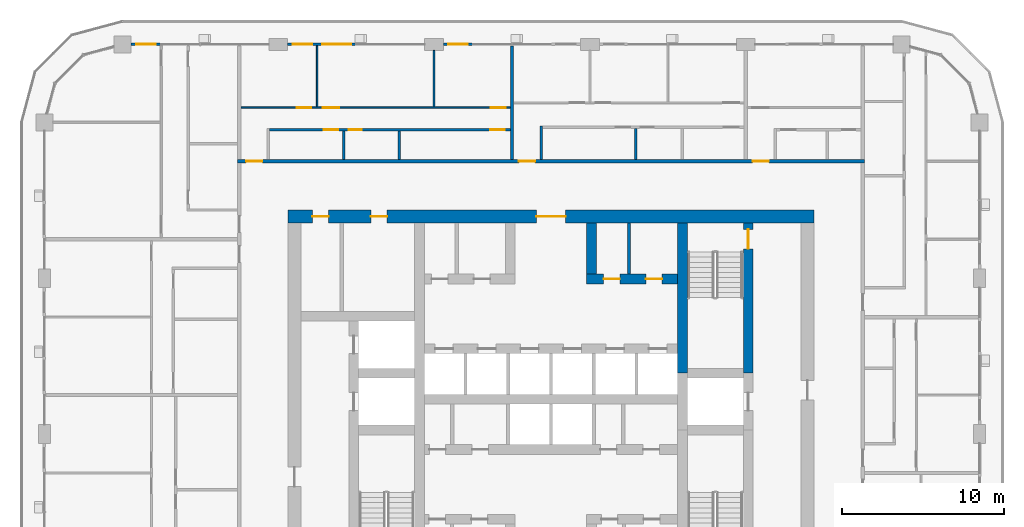
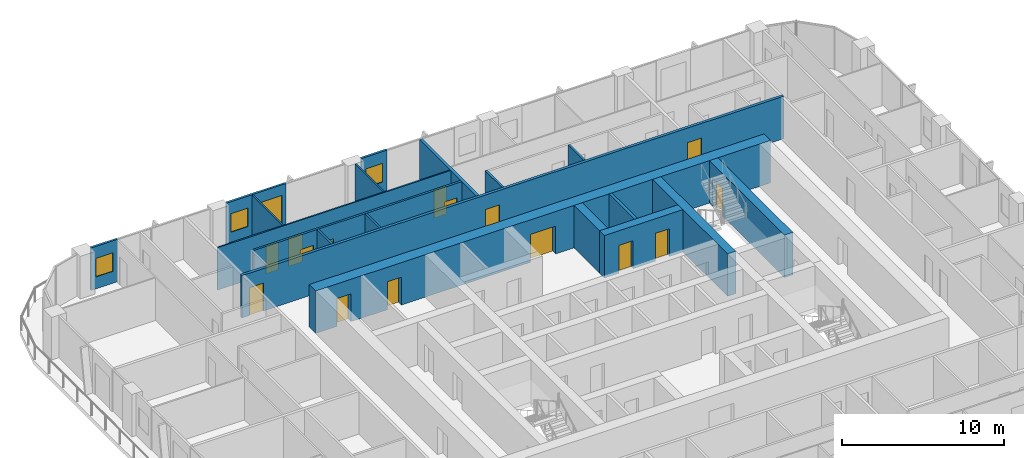
# One storey, part 14 of 22: 19 walls, 16 doors, 3 windows, 19 openings.
"""IFC4 building model written with IfcOpenShell, lengths in metres."""

from ifc_helpers import new_model, si_unit, direction, frame, frame_2d, origin, place, context, subcontext, project, spatial, rectangle, extrude, material, layer, layer_set, type_object, element, fill, save


model = new_model("IFC4")

# Units and contexts
model_context = context("Model", 3, precision=1e-05, world=origin(), true_north=direction((0.0, 1.0)))
body_context = subcontext(model_context, "Body", "Model", "MODEL_VIEW")
ifc_project = project(units=[si_unit("LENGTHUNIT", "METRE"), si_unit("AREAUNIT", "SQUARE_METRE"), si_unit("VOLUMEUNIT", "CUBIC_METRE"), si_unit("PLANEANGLEUNIT", "RADIAN"), si_unit("MASSUNIT", "GRAM", prefix="KILO")], contexts=[model_context])

# Site, building, storey
site_placement = place(None, origin())
site = spatial("IfcSite", under=ifc_project, at=site_placement, CompositionType="ELEMENT")
building_placement = place(site_placement, origin())
building = spatial("IfcBuilding", under=site, at=building_placement, Name="Madar Terraces", CompositionType="ELEMENT")
storey_placement = place(building_placement, frame((0.0, 0.0, 166.5)))
storey = spatial("IfcBuildingStorey", under=building, at=storey_placement, Name="L43", CompositionType="ELEMENT", Elevation=166.5)

# Wall
ifc_material_1 = material(Name="Concrete C70/85", Category="concrete")
ifc_layer_1 = layer(ifc_material_1, 0.60009765625)
ifc_layer_set_1 = layer_set([ifc_layer_1], Name="Concrete C70/85 (CIW3 RC wall 600)")
wall_type_1 = type_object("IfcWallType", Name="CIW3 RC wall 600", PredefinedType="SHEAR", material=ifc_layer_set_1)
wall_1_placement = place(storey_placement, frame((39.300048828125, 27.75, 0.0), z_axis=(0.0, 0.0, 1.0), x_axis=(0.0, 1.0, 0.0)))
element("IfcWall", 1, at=wall_1_placement, inside=storey, type_object=wall_type_1, Name="CORE SHAFT WALL", PredefinedType="SHEAR", context=body_context, shape_type="SweptSolid", body=[
    extrude(rectangle(XDim=9.25, YDim=0.60009765625, at=frame_2d((4.625, 0.0))), origin(), (0.0, 0.0, 1.0), 3.199951171875),
])

# Wall, opening, door
wall_2_placement = place(storey_placement, frame((43.35009765625, 27.75, 0.0), z_axis=(0.0, 0.0, 1.0), x_axis=(0.0, 1.0, 0.0)))
wall_2 = element("IfcWall", 2, at=wall_2_placement, inside=storey, type_object=wall_type_1, Name="CORE SHAFT WALL", PredefinedType="SHEAR", context=body_context, shape_type="SweptSolid", body=[
    extrude(rectangle(XDim=9.25, YDim=0.60009765625, at=frame_2d((4.625, 0.0))), origin(), (0.0, 0.0, 1.0), 3.199951171875),
])
opening_1_placement = place(wall_2_placement, frame((7.64990234375, 0.0, 0.0)))
opening_1 = element("IfcOpeningElement", 3, at=opening_1_placement, cuts=wall_2, Name="Opening SD1", PredefinedType="OPENING", context=body_context, shape_type="SweptSolid", body=[
    extrude(rectangle(XDim=1.199951171875, YDim=2.10009765625, at=frame_2d((0.60009765625, 1.050048828125))), frame((0.0, 0.31005859375, 0.0), z_axis=(0.0, -1.0, 0.0), x_axis=(1.0, 0.0, 0.0)), (0.0, 0.0, 1.0), 0.6201171875),
])
ifc_material_2 = material(Name="Steel door leaf", Category="steel")
door_type_1 = type_object("IfcDoorType", Name="Stair door 1200 x 2100", OperationType="NOTDEFINED", PredefinedType="DOOR", material=ifc_material_2)
door_1_placement = place(opening_1_placement, origin())
door_1 = element("IfcDoor", 4, at=door_1_placement, inside=storey, type_object=door_type_1, Name="STAIR DOOR", OperationType="SINGLE_SWING_LEFT", OverallHeight=2.10009765625, OverallWidth=1.199951171875, PredefinedType="DOOR", context=body_context, shape_type="SweptSolid", body=[
    extrude(rectangle(XDim=1.199951171875, YDim=2.10009765625, at=frame_2d((0.60009765625, 1.050048828125))), frame((0.0, 0.02490234375, 0.0), z_axis=(0.0, -1.0, 0.0), x_axis=(1.0, 0.0, 0.0)), (0.0, 0.0, 1.0), 0.050048828125),
])
fill(opening_1, door_1)

# Wall, openings, doors
wall_3_placement = place(storey_placement, frame((33.39990234375, 33.550048828125, 0.0), z_axis=(0.0, 0.0, 1.0), x_axis=(1.0, 0.0, 0.0)))
wall_3 = element("IfcWall", 5, at=wall_3_placement, inside=storey, type_object=wall_type_1, Name="CORE SHAFT WALL", PredefinedType="SHEAR", context=body_context, shape_type="SweptSolid", body=[
    extrude(rectangle(XDim=5.60009765625, YDim=0.60009765625, at=frame_2d((2.800048828125, 0.0))), origin(), (0.0, 0.0, 1.0), 3.199951171875),
])
opening_2_placement = place(wall_3_placement, frame((1.050048828125, 0.0, 0.0)))
opening_2 = element("IfcOpeningElement", 6, at=opening_2_placement, cuts=wall_3, Name="Opening KD2", PredefinedType="OPENING", context=body_context, shape_type="SweptSolid", body=[
    extrude(rectangle(XDim=1.0, YDim=2.10009765625, at=frame_2d((0.5, 1.050048828125))), frame((0.0, 0.31005859375, 0.0), z_axis=(0.0, -1.0, 0.0), x_axis=(1.0, 0.0, 0.0)), (0.0, 0.0, 1.0), 0.6201171875),
])
opening_3_placement = place(wall_3_placement, frame((3.64990234375, 0.0, 0.0)))
opening_3 = element("IfcOpeningElement", 7, at=opening_3_placement, cuts=wall_3, Name="Opening KD2", PredefinedType="OPENING", context=body_context, shape_type="SweptSolid", body=[
    extrude(rectangle(XDim=1.0, YDim=2.10009765625, at=frame_2d((0.5, 1.050048828125))), frame((0.0, 0.31005859375, 0.0), z_axis=(0.0, -1.0, 0.0), x_axis=(1.0, 0.0, 0.0)), (0.0, 0.0, 1.0), 0.6201171875),
])
ifc_material_3 = material(Name="Steel door leaf", Category="steel")
door_type_2 = type_object("IfcDoorType", Name="Service room door 1000 x 2100", OperationType="NOTDEFINED", PredefinedType="DOOR", material=ifc_material_3)
door_2_placement = place(opening_2_placement, frame((1.0, 0.0, 0.0), z_axis=(0.0, 0.0, 1.0), x_axis=(-1.0, 0.0, 0.0)))
door_2 = element("IfcDoor", 8, at=door_2_placement, inside=storey, type_object=door_type_2, Name="SERVICE ROOM DOOR", OperationType="SINGLE_SWING_RIGHT", OverallHeight=2.10009765625, OverallWidth=1.0, PredefinedType="DOOR", context=body_context, shape_type="SweptSolid", body=[
    extrude(rectangle(XDim=1.0, YDim=2.10009765625, at=frame_2d((0.5, 1.050048828125))), frame((0.0, 0.02490234375, 0.0), z_axis=(0.0, -1.0, 0.0), x_axis=(1.0, 0.0, 0.0)), (0.0, 0.0, 1.0), 0.050048828125),
])
fill(opening_2, door_2)
door_3_placement = place(opening_3_placement, frame((1.0, 0.0, 0.0), z_axis=(0.0, 0.0, 1.0), x_axis=(-1.0, 0.0, 0.0)))
door_3 = element("IfcDoor", 9, at=door_3_placement, inside=storey, type_object=door_type_2, Name="SERVICE ROOM DOOR", OperationType="SINGLE_SWING_LEFT", OverallHeight=2.10009765625, OverallWidth=1.0, PredefinedType="DOOR", context=body_context, shape_type="SweptSolid", body=[
    extrude(rectangle(XDim=1.0, YDim=2.10009765625, at=frame_2d((0.5, 1.050048828125))), frame((0.0, 0.02490234375, 0.0), z_axis=(0.0, -1.0, 0.0), x_axis=(1.0, 0.0, 0.0)), (0.0, 0.0, 1.0), 0.050048828125),
])
fill(opening_3, door_3)

# Wall
wall_4_placement = place(storey_placement, frame((33.699951171875, 33.85009765625, 0.0), z_axis=(0.0, 0.0, 1.0), x_axis=(0.0, 1.0, 0.0)))
element("IfcWall", 10, at=wall_4_placement, inside=storey, type_object=wall_type_1, Name="CORE SHAFT WALL", PredefinedType="SHEAR", context=body_context, shape_type="SweptSolid", body=[
    extrude(rectangle(XDim=3.14990234375, YDim=0.60009765625, at=frame_2d((1.574951171875, 0.0))), origin(), (0.0, 0.0, 1.0), 3.199951171875),
])

# Wall, openings, doors
ifc_material_4 = material(Name="Concrete C70/85", Category="concrete")
ifc_layer_2 = layer(ifc_material_4, 0.800048828125)
ifc_layer_set_2 = layer_set([ifc_layer_2], Name="Concrete C70/85 (CRW3 RC wall 800)")
wall_type_2 = type_object("IfcWallType", Name="CRW3 RC wall 800", PredefinedType="SHEAR", material=ifc_layer_set_2)
wall_5_placement = place(storey_placement, frame((15.0, 37.39990234375, 0.0), z_axis=(0.0, 0.0, 1.0), x_axis=(1.0, 0.0, 0.0)))
wall_5 = element("IfcWall", 11, at=wall_5_placement, inside=storey, type_object=wall_type_2, Name="CORE OUTER WALL", PredefinedType="SHEAR", context=body_context, shape_type="SweptSolid", body=[
    extrude(rectangle(XDim=32.39990234375, YDim=0.800048828125, at=frame_2d((16.199951171875, 0.0))), origin(), (0.0, 0.0, 1.0), 3.199951171875),
])
opening_4_placement = place(wall_5_placement, frame((15.300048828125, 0.0, 0.0)))
opening_4 = element("IfcOpeningElement", 12, at=opening_4_placement, cuts=wall_5, Name="Opening KD1", PredefinedType="OPENING", context=body_context, shape_type="SweptSolid", body=[
    extrude(rectangle(XDim=1.800048828125, YDim=2.10009765625, at=frame_2d((0.89990234375, 1.050048828125))), frame((0.0, 0.409912109375, 0.0), z_axis=(0.0, -1.0, 0.0), x_axis=(1.0, 0.0, 0.0)), (0.0, 0.0, 1.0), 0.820068359375),
])
opening_5_placement = place(wall_5_placement, frame((1.510009765625, 0.0, 0.0)))
opening_5 = element("IfcOpeningElement", 13, at=opening_5_placement, cuts=wall_5, Name="Opening KD2", PredefinedType="OPENING", context=body_context, shape_type="SweptSolid", body=[
    extrude(rectangle(XDim=1.0, YDim=2.10009765625, at=frame_2d((0.5, 1.050048828125))), frame((0.0, 0.409912109375, 0.0), z_axis=(0.0, -1.0, 0.0), x_axis=(1.0, 0.0, 0.0)), (0.0, 0.0, 1.0), 0.820068359375),
])
opening_6_placement = place(wall_5_placement, frame((5.110107421875, 0.0, 0.0)))
opening_6 = element("IfcOpeningElement", 14, at=opening_6_placement, cuts=wall_5, Name="Opening KD2", PredefinedType="OPENING", context=body_context, shape_type="SweptSolid", body=[
    extrude(rectangle(XDim=1.0, YDim=2.10009765625, at=frame_2d((0.5, 1.050048828125))), frame((0.0, 0.409912109375, 0.0), z_axis=(0.0, -1.0, 0.0), x_axis=(1.0, 0.0, 0.0)), (0.0, 0.0, 1.0), 0.820068359375),
])
ifc_material_5 = material(Name="Steel door leaf", Category="steel")
door_type_3 = type_object("IfcDoorType", Name="Lobby door pair 1800 x 2100", OperationType="DOUBLE_DOOR_SINGLE_SWING", PredefinedType="DOOR", material=ifc_material_5)
door_4_placement = place(opening_4_placement, origin())
door_4 = element("IfcDoor", 15, at=door_4_placement, inside=storey, type_object=door_type_3, Name="LIFT LOBBY DOOR", OperationType="DOUBLE_DOOR_SINGLE_SWING", OverallHeight=2.10009765625, OverallWidth=1.800048828125, PredefinedType="DOOR", context=body_context, shape_type="SweptSolid", body=[
    extrude(rectangle(XDim=1.800048828125, YDim=2.10009765625, at=frame_2d((0.89990234375, 1.050048828125))), frame((0.0, 0.02490234375, 0.0), z_axis=(0.0, -1.0, 0.0), x_axis=(1.0, 0.0, 0.0)), (0.0, 0.0, 1.0), 0.050048828125),
])
fill(opening_4, door_4)
door_5_placement = place(opening_5_placement, origin())
door_5 = element("IfcDoor", 16, at=door_5_placement, inside=storey, type_object=door_type_2, Name="SERVICE ROOM DOOR", OperationType="SINGLE_SWING_RIGHT", OverallHeight=2.10009765625, OverallWidth=1.0, PredefinedType="DOOR", context=body_context, shape_type="SweptSolid", body=[
    extrude(rectangle(XDim=1.0, YDim=2.10009765625, at=frame_2d((0.5, 1.050048828125))), frame((0.0, 0.02490234375, 0.0), z_axis=(0.0, -1.0, 0.0), x_axis=(1.0, 0.0, 0.0)), (0.0, 0.0, 1.0), 0.050048828125),
])
fill(opening_5, door_5)
door_6_placement = place(opening_6_placement, origin())
door_6 = element("IfcDoor", 17, at=door_6_placement, inside=storey, type_object=door_type_2, Name="SERVICE ROOM DOOR", OperationType="SINGLE_SWING_LEFT", OverallHeight=2.10009765625, OverallWidth=1.0, PredefinedType="DOOR", context=body_context, shape_type="SweptSolid", body=[
    extrude(rectangle(XDim=1.0, YDim=2.10009765625, at=frame_2d((0.5, 1.050048828125))), frame((0.0, 0.02490234375, 0.0), z_axis=(0.0, -1.0, 0.0), x_axis=(1.0, 0.0, 0.0)), (0.0, 0.0, 1.0), 0.050048828125),
])
fill(opening_6, door_6)

# Wall
ifc_material_6 = material(Name="Masonry blockwork", Category="masonry")
ifc_layer_3 = layer(ifc_material_6, 0.199951171875)
ifc_layer_set_3 = layer_set([ifc_layer_3], Name="Core partition 200 blockwork")
wall_type_3 = type_object("IfcWallType", Name="Core partition 200 blockwork", PredefinedType="PARTITIONING", material=ifc_layer_set_3)
wall_6_placement = place(storey_placement, frame((36.0, 33.85009765625, 0.0), z_axis=(0.0, 0.0, 1.0), x_axis=(0.0, 1.0, 0.0)))
element("IfcWall", 18, at=wall_6_placement, inside=storey, type_object=wall_type_3, Name="SERVICE ROOM PARTITION", PredefinedType="PARTITIONING", context=body_context, shape_type="SweptSolid", body=[
    extrude(rectangle(XDim=3.14990234375, YDim=0.199951171875, at=frame_2d((1.574951171875, 0.0))), origin(), (0.0, 0.0, 1.0), 3.199951171875),
])

# Wall, opening, window
ifc_material_7 = material(Name="Aluminium composite panel, black, over insulated backing", Category="aluminium")
ifc_layer_4 = layer(ifc_material_7, 0.14990234375)
ifc_layer_set_4 = layer_set([ifc_layer_4], Name="Facade bay panel 150")
wall_type_4 = type_object("IfcWallType", Name="Facade bay panel 150", PredefinedType="SOLIDWALL", material=ifc_layer_set_4)
wall_7_placement = place(storey_placement, frame((26.39990234375, 48.0, 0.0), z_axis=(0.0, 0.0, 1.0), x_axis=(-1.0, 0.0, 0.0)))
wall_7 = element("IfcWall", 19, at=wall_7_placement, inside=storey, type_object=wall_type_4, Name="Facade bay panel", PredefinedType="SOLIDWALL", context=body_context, shape_type="SweptSolid", body=[
    extrude(rectangle(XDim=1.824951171875, YDim=0.14990234375, at=frame_2d((0.91259765625, 0.0))), origin(), (0.0, 0.0, 1.0), 3.199951171875),
])
opening_7_placement = place(wall_7_placement, frame((0.3125, 0.0, 0.89990234375)))
opening_7 = element("IfcOpeningElement", 20, at=opening_7_placement, cuts=wall_7, Name="Opening W1", PredefinedType="OPENING", context=body_context, shape_type="SweptSolid", body=[
    extrude(rectangle(XDim=1.199951171875, YDim=1.39990234375, at=frame_2d((0.60009765625, 0.699951171875))), frame((0.0, 0.0849609375, 0.0), z_axis=(0.0, -1.0, 0.0), x_axis=(1.0, 0.0, 0.0)), (0.0, 0.0, 1.0), 0.169921875),
])
ifc_material_8 = material(Name="Glass, clear, with black aluminium frame", Category="aluminium")
window_type = type_object("IfcWindowType", Name="Vent window 1200 x 1400", PartitioningType="SINGLE_PANEL", PredefinedType="WINDOW", material=ifc_material_8)
window_1_placement = place(opening_7_placement, origin())
window_1 = element("IfcWindow", 21, at=window_1_placement, inside=storey, type_object=window_type, Name="Operable vent window", OverallHeight=1.39990234375, OverallWidth=1.199951171875, PartitioningType="SINGLE_PANEL", PredefinedType="WINDOW", context=body_context, shape_type="SweptSolid", body=[
    extrude(rectangle(XDim=1.199951171875, YDim=1.39990234375, at=frame_2d((0.60009765625, 0.699951171875))), frame((0.0, 0.030029296875, 0.0), z_axis=(0.0, -1.0, 0.0), x_axis=(1.0, 0.0, 0.0)), (0.0, 0.0, 1.0), 0.06005859375),
])
fill(opening_7, window_1)

# Wall, openings, door, window
wall_8_placement = place(storey_placement, frame((19.199951171875, 48.0, 0.0), z_axis=(0.0, 0.0, 1.0), x_axis=(-1.0, 0.0, 0.0)))
wall_8 = element("IfcWall", 22, at=wall_8_placement, inside=storey, type_object=wall_type_4, Name="Facade bay panel", PredefinedType="SOLIDWALL", context=body_context, shape_type="SweptSolid", body=[
    extrude(rectangle(XDim=4.224853515625, YDim=0.14990234375, at=frame_2d((2.1123046875, 0.0))), origin(), (0.0, 0.0, 1.0), 3.199951171875),
])
opening_8_placement = place(wall_8_placement, frame((0.300048828125, 0.0, 0.0)))
opening_8 = element("IfcOpeningElement", 23, at=opening_8_placement, cuts=wall_8, Name="Opening ED1", PredefinedType="OPENING", context=body_context, shape_type="SweptSolid", body=[
    extrude(rectangle(XDim=1.800048828125, YDim=2.39990234375, at=frame_2d((0.89990234375, 1.199951171875))), frame((0.0, 0.0849609375, 0.0), z_axis=(0.0, -1.0, 0.0), x_axis=(1.0, 0.0, 0.0)), (0.0, 0.0, 1.0), 0.169921875),
])
opening_9_placement = place(wall_8_placement, frame((2.71240234375, 0.0, 0.89990234375)))
opening_9 = element("IfcOpeningElement", 24, at=opening_9_placement, cuts=wall_8, Name="Opening W1", PredefinedType="OPENING", context=body_context, shape_type="SweptSolid", body=[
    extrude(rectangle(XDim=1.199951171875, YDim=1.39990234375, at=frame_2d((0.60009765625, 0.699951171875))), frame((0.0, 0.0849609375, 0.0), z_axis=(0.0, -1.0, 0.0), x_axis=(1.0, 0.0, 0.0)), (0.0, 0.0, 1.0), 0.169921875),
])
ifc_material_9 = material(Name="Glass, clear, with black aluminium frame", Category="aluminium")
door_type_4 = type_object("IfcDoorType", Name="Balcony and terrace sliding door 1800 x 2400", OperationType="SLIDING_TO_LEFT", PredefinedType="DOOR", material=ifc_material_9)
door_7_placement = place(opening_8_placement, origin())
door_7 = element("IfcDoor", 25, at=door_7_placement, inside=storey, type_object=door_type_4, Name="Balcony door", OperationType="SLIDING_TO_RIGHT", OverallHeight=2.39990234375, OverallWidth=1.800048828125, PredefinedType="DOOR", context=body_context, shape_type="SweptSolid", body=[
    extrude(rectangle(XDim=1.800048828125, YDim=2.39990234375, at=frame_2d((0.89990234375, 1.199951171875))), frame((0.0, 0.02490234375, 0.0), z_axis=(0.0, -1.0, 0.0), x_axis=(1.0, 0.0, 0.0)), (0.0, 0.0, 1.0), 0.050048828125),
])
fill(opening_8, door_7)
window_2_placement = place(opening_9_placement, origin())
window_2 = element("IfcWindow", 26, at=window_2_placement, inside=storey, type_object=window_type, Name="Operable vent window", OverallHeight=1.39990234375, OverallWidth=1.199951171875, PartitioningType="SINGLE_PANEL", PredefinedType="WINDOW", context=body_context, shape_type="SweptSolid", body=[
    extrude(rectangle(XDim=1.199951171875, YDim=1.39990234375, at=frame_2d((0.60009765625, 0.699951171875))), frame((0.0, 0.030029296875, 0.0), z_axis=(0.0, -1.0, 0.0), x_axis=(1.0, 0.0, 0.0)), (0.0, 0.0, 1.0), 0.06005859375),
])
fill(opening_9, window_2)

# Wall, opening, window
wall_9_placement = place(storey_placement, frame((7.199951171875, 48.0, 0.0), z_axis=(0.0, 0.0, 1.0), x_axis=(-1.0, 0.0, 0.0)))
wall_9 = element("IfcWall", 27, at=wall_9_placement, inside=storey, type_object=wall_type_4, Name="Facade bay panel", PredefinedType="SOLIDWALL", context=body_context, shape_type="SweptSolid", body=[
    extrude(rectangle(XDim=1.875, YDim=0.14990234375, at=frame_2d((0.9375, 0.0))), origin(), (0.0, 0.0, 1.0), 3.199951171875),
])
opening_10_placement = place(wall_9_placement, frame((0.33740234375, 0.0, 0.89990234375)))
opening_10 = element("IfcOpeningElement", 28, at=opening_10_placement, cuts=wall_9, Name="Opening W1", PredefinedType="OPENING", context=body_context, shape_type="SweptSolid", body=[
    extrude(rectangle(XDim=1.199951171875, YDim=1.39990234375, at=frame_2d((0.60009765625, 0.699951171875))), frame((0.0, 0.0849609375, 0.0), z_axis=(0.0, -1.0, 0.0), x_axis=(1.0, 0.0, 0.0)), (0.0, 0.0, 1.0), 0.169921875),
])
window_3_placement = place(opening_10_placement, origin())
window_3 = element("IfcWindow", 29, at=window_3_placement, inside=storey, type_object=window_type, Name="Operable vent window", OverallHeight=1.39990234375, OverallWidth=1.199951171875, PartitioningType="SINGLE_PANEL", PredefinedType="WINDOW", context=body_context, shape_type="SweptSolid", body=[
    extrude(rectangle(XDim=1.199951171875, YDim=1.39990234375, at=frame_2d((0.60009765625, 0.699951171875))), frame((0.0, 0.030029296875, 0.0), z_axis=(0.0, -1.0, 0.0), x_axis=(1.0, 0.0, 0.0)), (0.0, 0.0, 1.0), 0.06005859375),
])
fill(opening_10, window_3)

# Walls
ifc_material_10 = material(Name="Gypsum board on steel studs", Category="steel")
ifc_layer_5 = layer(ifc_material_10, 0.10009765625)
ifc_layer_set_5 = layer_set([ifc_layer_5], Name="Flat partition 100")
wall_type_5 = type_object("IfcWallType", Name="Flat partition 100", PredefinedType="PARTITIONING", material=ifc_layer_set_5)
wall_10_placement = place(storey_placement, frame((16.800048828125, 44.14990234375, 0.0), z_axis=(0.0, 0.0, 1.0), x_axis=(0.0, 1.0, 0.0)))
element("IfcWall", 30, at=wall_10_placement, inside=storey, type_object=wall_type_5, Name="Flat partition 100", PredefinedType="PARTITIONING", context=body_context, shape_type="SweptSolid", body=[
    extrude(rectangle(XDim=3.75, YDim=0.10009765625, at=frame_2d((1.875, 0.0))), origin(), (0.0, 0.0, 1.0), 3.199951171875),
])
wall_11_placement = place(storey_placement, frame((24.0, 44.14990234375, 0.0), z_axis=(0.0, 0.0, 1.0), x_axis=(0.0, 1.0, 0.0)))
element("IfcWall", 31, at=wall_11_placement, inside=storey, type_object=wall_type_5, Name="Flat partition 100", PredefinedType="PARTITIONING", context=body_context, shape_type="SweptSolid", body=[
    extrude(rectangle(XDim=3.47509765625, YDim=0.10009765625, at=frame_2d((1.737548828125, 0.0))), origin(), (0.0, 0.0, 1.0), 3.199951171875),
])

# Wall, openings, doors
wall_12_placement = place(storey_placement, frame((12.10009765625, 44.10009765625, 0.0), z_axis=(0.0, 0.0, 1.0), x_axis=(1.0, 0.0, 0.0)))
wall_12 = element("IfcWall", 32, at=wall_12_placement, inside=storey, type_object=wall_type_5, Name="Flat partition 100", PredefinedType="PARTITIONING", context=body_context, shape_type="SweptSolid", body=[
    extrude(rectangle(XDim=16.599853515625, YDim=0.10009765625, at=frame_2d((8.2998046875, 0.0))), origin(), (0.0, 0.0, 1.0), 3.199951171875),
])
opening_11_placement = place(wall_12_placement, frame((3.449951171875, 0.0, 0.0)))
opening_11 = element("IfcOpeningElement", 33, at=opening_11_placement, cuts=wall_12, Name="Opening D2", PredefinedType="OPENING", context=body_context, shape_type="SweptSolid", body=[
    extrude(rectangle(XDim=0.89990234375, YDim=2.10009765625, at=frame_2d((0.449951171875, 1.050048828125))), frame((0.0, 0.06005859375, 0.0), z_axis=(0.0, -1.0, 0.0), x_axis=(1.0, 0.0, 0.0)), (0.0, 0.0, 1.0), 0.1201171875),
])
opening_12_placement = place(wall_12_placement, frame((5.050048828125, 0.0, 0.0)))
opening_12 = element("IfcOpeningElement", 34, at=opening_12_placement, cuts=wall_12, Name="Opening D3", PredefinedType="OPENING", context=body_context, shape_type="SweptSolid", body=[
    extrude(rectangle(XDim=1.0, YDim=2.10009765625, at=frame_2d((0.5, 1.050048828125))), frame((0.0, 0.06005859375, 0.0), z_axis=(0.0, -1.0, 0.0), x_axis=(1.0, 0.0, 0.0)), (0.0, 0.0, 1.0), 0.1201171875),
])
opening_13_placement = place(wall_12_placement, frame((15.39990234375, 0.0, 0.0)))
opening_13 = element("IfcOpeningElement", 35, at=opening_13_placement, cuts=wall_12, Name="Opening D2", PredefinedType="OPENING", context=body_context, shape_type="SweptSolid", body=[
    extrude(rectangle(XDim=0.89990234375, YDim=2.10009765625, at=frame_2d((0.449951171875, 1.050048828125))), frame((0.0, 0.06005859375, 0.0), z_axis=(0.0, -1.0, 0.0), x_axis=(1.0, 0.0, 0.0)), (0.0, 0.0, 1.0), 0.1201171875),
])
ifc_material_11 = material(Name="Timber door leaf", Category="wood")
door_type_5 = type_object("IfcDoorType", Name="Flat living room door 1000", OperationType="NOTDEFINED", PredefinedType="DOOR", material=ifc_material_11)
door_8_placement = place(opening_12_placement, origin())
door_8 = element("IfcDoor", 36, at=door_8_placement, inside=storey, type_object=door_type_5, Name="Flat living room door 1000", OperationType="SINGLE_SWING_LEFT", OverallHeight=2.10009765625, OverallWidth=1.0, PredefinedType="DOOR", context=body_context, shape_type="SweptSolid", body=[
    extrude(rectangle(XDim=1.0, YDim=2.10009765625, at=frame_2d((0.5, 1.050048828125))), frame((0.0, 0.02490234375, 0.0), z_axis=(0.0, -1.0, 0.0), x_axis=(1.0, 0.0, 0.0)), (0.0, 0.0, 1.0), 0.050048828125),
])
fill(opening_12, door_8)
ifc_material_12 = material(Name="Timber door leaf", Category="wood")
door_type_6 = type_object("IfcDoorType", Name="Flat room door 900", OperationType="NOTDEFINED", PredefinedType="DOOR", material=ifc_material_12)
door_9_placement = place(opening_11_placement, origin())
door_9 = element("IfcDoor", 37, at=door_9_placement, inside=storey, type_object=door_type_6, Name="Flat room door 900", OperationType="SINGLE_SWING_RIGHT", OverallHeight=2.10009765625, OverallWidth=0.89990234375, PredefinedType="DOOR", context=body_context, shape_type="SweptSolid", body=[
    extrude(rectangle(XDim=0.89990234375, YDim=2.10009765625, at=frame_2d((0.449951171875, 1.050048828125))), frame((0.0, 0.02490234375, 0.0), z_axis=(0.0, -1.0, 0.0), x_axis=(1.0, 0.0, 0.0)), (0.0, 0.0, 1.0), 0.050048828125),
])
fill(opening_11, door_9)
door_10_placement = place(opening_13_placement, origin())
door_10 = element("IfcDoor", 38, at=door_10_placement, inside=storey, type_object=door_type_6, Name="Flat room door 900", OperationType="SINGLE_SWING_RIGHT", OverallHeight=2.10009765625, OverallWidth=0.89990234375, PredefinedType="DOOR", context=body_context, shape_type="SweptSolid", body=[
    extrude(rectangle(XDim=0.89990234375, YDim=2.10009765625, at=frame_2d((0.449951171875, 1.050048828125))), frame((0.0, 0.02490234375, 0.0), z_axis=(0.0, -1.0, 0.0), x_axis=(1.0, 0.0, 0.0)), (0.0, 0.0, 1.0), 0.050048828125),
])
fill(opening_13, door_10)

ifc_material_13 = material(Name="Lightweight blockwork", Category="masonry")
ifc_layer_6 = layer(ifc_material_13, 0.199951171875)
ifc_layer_set_6 = layer_set([ifc_layer_6], Name="Flat party and entrance wall 200")
wall_type_6 = type_object("IfcWallType", Name="Flat party and entrance wall 200", PredefinedType="PARTITIONING", material=ifc_layer_set_6)
wall_13_placement = place(storey_placement, frame((11.89990234375, 40.800048828125, 0.0), z_axis=(0.0, 0.0, 1.0), x_axis=(1.0, 0.0, 0.0)))
wall_13 = element("IfcWall", 39, at=wall_13_placement, inside=storey, type_object=wall_type_6, Name="Flat party and entrance wall 200", PredefinedType="PARTITIONING", context=body_context, shape_type="SweptSolid", body=[
    extrude(rectangle(XDim=38.60009765625, YDim=0.199951171875, at=frame_2d((19.300048828125, 0.0))), origin(), (0.0, 0.0, 1.0), 3.199951171875),
])
opening_14_placement = place(wall_13_placement, frame((31.72509765625, 0.0, 0.0)))
opening_14 = element("IfcOpeningElement", 40, at=opening_14_placement, cuts=wall_13, Name="Opening D1", PredefinedType="OPENING", context=body_context, shape_type="SweptSolid", body=[
    extrude(rectangle(XDim=1.0, YDim=2.10009765625, at=frame_2d((0.5, 1.050048828125))), frame((0.0, 0.10986328125, 0.0), z_axis=(0.0, -1.0, 0.0), x_axis=(1.0, 0.0, 0.0)), (0.0, 0.0, 1.0), 0.219970703125),
])
opening_15_placement = place(wall_13_placement, frame((17.324951171875, 0.0, 0.0)))
opening_15 = element("IfcOpeningElement", 41, at=opening_15_placement, cuts=wall_13, Name="Opening D1", PredefinedType="OPENING", context=body_context, shape_type="SweptSolid", body=[
    extrude(rectangle(XDim=1.0, YDim=2.10009765625, at=frame_2d((0.5, 1.050048828125))), frame((0.0, 0.10986328125, 0.0), z_axis=(0.0, -1.0, 0.0), x_axis=(1.0, 0.0, 0.0)), (0.0, 0.0, 1.0), 0.219970703125),
])
opening_16_placement = place(wall_13_placement, frame((0.52490234375, 0.0, 0.0)))
opening_16 = element("IfcOpeningElement", 42, at=opening_16_placement, cuts=wall_13, Name="Opening D1", PredefinedType="OPENING", context=body_context, shape_type="SweptSolid", body=[
    extrude(rectangle(XDim=1.0, YDim=2.10009765625, at=frame_2d((0.5, 1.050048828125))), frame((0.0, 0.10986328125, 0.0), z_axis=(0.0, -1.0, 0.0), x_axis=(1.0, 0.0, 0.0)), (0.0, 0.0, 1.0), 0.219970703125),
])
ifc_material_14 = material(Name="Timber fire door leaf", Category="wood")
door_type_7 = type_object("IfcDoorType", Name="Flat entrance door 1000 FD30S", OperationType="NOTDEFINED", PredefinedType="DOOR", material=ifc_material_14)
door_11_placement = place(opening_14_placement, origin())
door_11 = element("IfcDoor", 43, at=door_11_placement, inside=storey, type_object=door_type_7, Name="Flat entrance door 1000 FD30S", OperationType="SINGLE_SWING_LEFT", OverallHeight=2.10009765625, OverallWidth=1.0, PredefinedType="DOOR", context=body_context, shape_type="SweptSolid", body=[
    extrude(rectangle(XDim=1.0, YDim=2.10009765625, at=frame_2d((0.5, 1.050048828125))), frame((0.0, 0.02490234375, 0.0), z_axis=(0.0, -1.0, 0.0), x_axis=(1.0, 0.0, 0.0)), (0.0, 0.0, 1.0), 0.050048828125),
])
fill(opening_14, door_11)
door_12_placement = place(opening_15_placement, origin())
door_12 = element("IfcDoor", 44, at=door_12_placement, inside=storey, type_object=door_type_7, Name="Flat entrance door 1000 FD30S", OperationType="SINGLE_SWING_LEFT", OverallHeight=2.10009765625, OverallWidth=1.0, PredefinedType="DOOR", context=body_context, shape_type="SweptSolid", body=[
    extrude(rectangle(XDim=1.0, YDim=2.10009765625, at=frame_2d((0.5, 1.050048828125))), frame((0.0, 0.02490234375, 0.0), z_axis=(0.0, -1.0, 0.0), x_axis=(1.0, 0.0, 0.0)), (0.0, 0.0, 1.0), 0.050048828125),
])
fill(opening_15, door_12)
door_13_placement = place(opening_16_placement, origin())
door_13 = element("IfcDoor", 45, at=door_13_placement, inside=storey, type_object=door_type_7, Name="Flat entrance door 1000 FD30S", OperationType="SINGLE_SWING_LEFT", OverallHeight=2.10009765625, OverallWidth=1.0, PredefinedType="DOOR", context=body_context, shape_type="SweptSolid", body=[
    extrude(rectangle(XDim=1.0, YDim=2.10009765625, at=frame_2d((0.5, 1.050048828125))), frame((0.0, 0.02490234375, 0.0), z_axis=(0.0, -1.0, 0.0), x_axis=(1.0, 0.0, 0.0)), (0.0, 0.0, 1.0), 0.050048828125),
])
fill(opening_16, door_13)

# Walls
wall_14_placement = place(storey_placement, frame((28.800048828125, 47.89990234375, 0.0), z_axis=(0.0, 0.0, 1.0), x_axis=(0.0, -1.0, 0.0)))
element("IfcWall", 46, at=wall_14_placement, inside=storey, type_object=wall_type_6, Name="Flat party and entrance wall 200", PredefinedType="PARTITIONING", context=body_context, shape_type="SweptSolid", body=[
    extrude(rectangle(XDim=7.0, YDim=0.199951171875, at=frame_2d((3.5, 0.0))), origin(), (0.0, 0.0, 1.0), 3.199951171875),
])
ifc_material_15 = material(Name="Lightweight blockwork", Category="masonry")
ifc_layer_7 = layer(ifc_material_15, 0.14990234375)
ifc_layer_set_7 = layer_set([ifc_layer_7], Name="Flat wet-room partition 150")
wall_type_7 = type_object("IfcWallType", Name="Flat wet-room partition 150", PredefinedType="PARTITIONING", material=ifc_layer_set_7)
wall_15_placement = place(storey_placement, frame((36.40966796875, 40.89990234375, 0.0), z_axis=(0.0, 0.0, 1.0), x_axis=(0.0, 1.0, 0.0)))
element("IfcWall", 47, at=wall_15_placement, inside=storey, type_object=wall_type_7, Name="Flat wet-room partition 150", PredefinedType="PARTITIONING", context=body_context, shape_type="SweptSolid", body=[
    extrude(rectangle(XDim=1.925048828125, YDim=0.14990234375, at=frame_2d((0.96240234375, 0.0))), origin(), (0.0, 0.0, 1.0), 3.199951171875),
])
wall_16_placement = place(storey_placement, frame((30.60009765625, 40.89990234375, 0.0), z_axis=(0.0, 0.0, 1.0), x_axis=(0.0, 1.0, 0.0)))
element("IfcWall", 48, at=wall_16_placement, inside=storey, type_object=wall_type_7, Name="Flat wet-room partition 150", PredefinedType="PARTITIONING", context=body_context, shape_type="SweptSolid", body=[
    extrude(rectangle(XDim=2.0751953125, YDim=0.14990234375, at=frame_2d((1.03759765625, 0.0))), origin(), (0.0, 0.0, 1.0), 3.199951171875),
])
for number, where, z_axis, x_axis, name in (
    (49, (18.4365234375, 40.89990234375, 0.0), (0.0, 0.0, 1.0), (0.0, 1.0, 0.0), "Flat wet-room partition 150"),
    (50, (21.857666015625, 40.89990234375, 0.0), (0.0, 0.0, 1.0), (0.0, 1.0, 0.0), "Flat wet-room partition 150"),
):
    element("IfcWall", number, at=place(storey_placement, frame(where, z_axis=z_axis, x_axis=x_axis)), inside=storey, type_object=wall_type_7, Name=name, PredefinedType="PARTITIONING", context=body_context, shape_type="SweptSolid", body=[
        extrude(rectangle(XDim=1.775146484375, YDim=0.14990234375, at=frame_2d((0.8876953125, 0.0))), origin(), (0.0, 0.0, 1.0), 3.199951171875),
    ])

# Wall, openings, doors
wall_17_placement = place(storey_placement, frame((28.699951171875, 42.75, 0.0), z_axis=(0.0, 0.0, 1.0), x_axis=(-1.0, 0.0, 0.0)))
wall_17 = element("IfcWall", 51, at=wall_17_placement, inside=storey, type_object=wall_type_7, Name="Flat wet-room partition 150", PredefinedType="PARTITIONING", context=body_context, shape_type="SweptSolid", body=[
    extrude(rectangle(XDim=14.824951171875, YDim=0.14990234375, at=frame_2d((7.41259765625, 0.0))), origin(), (0.0, 0.0, 1.0), 3.199951171875),
])
opening_17_placement = place(wall_17_placement, frame((10.58837890625, 0.0, 0.0)))
opening_17 = element("IfcOpeningElement", 52, at=opening_17_placement, cuts=wall_17, Name="Opening D5", PredefinedType="OPENING", context=body_context, shape_type="SweptSolid", body=[
    extrude(rectangle(XDim=0.89990234375, YDim=2.10009765625, at=frame_2d((0.449951171875, 1.050048828125))), frame((0.0, 0.0849609375, 0.0), z_axis=(0.0, -1.0, 0.0), x_axis=(1.0, 0.0, 0.0)), (0.0, 0.0, 1.0), 0.169921875),
])
opening_18_placement = place(wall_17_placement, frame((9.138427734375, 0.0, 0.0)))
opening_18 = element("IfcOpeningElement", 53, at=opening_18_placement, cuts=wall_17, Name="Opening D4", PredefinedType="OPENING", context=body_context, shape_type="SweptSolid", body=[
    extrude(rectangle(XDim=0.800048828125, YDim=2.10009765625, at=frame_2d((0.39990234375, 1.050048828125))), frame((0.0, 0.0849609375, 0.0), z_axis=(0.0, -1.0, 0.0), x_axis=(1.0, 0.0, 0.0)), (0.0, 0.0, 1.0), 0.169921875),
])
opening_19_placement = place(wall_17_placement, frame((0.35009765625, 0.0, 0.0)))
opening_19 = element("IfcOpeningElement", 54, at=opening_19_placement, cuts=wall_17, Name="Opening D2", PredefinedType="OPENING", context=body_context, shape_type="SweptSolid", body=[
    extrude(rectangle(XDim=0.89990234375, YDim=2.10009765625, at=frame_2d((0.449951171875, 1.050048828125))), frame((0.0, 0.0849609375, 0.0), z_axis=(0.0, -1.0, 0.0), x_axis=(1.0, 0.0, 0.0)), (0.0, 0.0, 1.0), 0.169921875),
])
ifc_material_16 = material(Name="Timber door leaf", Category="wood")
door_type_8 = type_object("IfcDoorType", Name="Flat accessible bathroom door 900", OperationType="NOTDEFINED", PredefinedType="DOOR", material=ifc_material_16)
door_14_placement = place(opening_17_placement, origin())
door_14 = element("IfcDoor", 55, at=door_14_placement, inside=storey, type_object=door_type_8, Name="Flat accessible bathroom door 900", OperationType="SINGLE_SWING_LEFT", OverallHeight=2.10009765625, OverallWidth=0.89990234375, PredefinedType="DOOR", context=body_context, shape_type="SweptSolid", body=[
    extrude(rectangle(XDim=0.89990234375, YDim=2.10009765625, at=frame_2d((0.449951171875, 1.050048828125))), frame((0.0, 0.02490234375, 0.0), z_axis=(0.0, -1.0, 0.0), x_axis=(1.0, 0.0, 0.0)), (0.0, 0.0, 1.0), 0.050048828125),
])
fill(opening_17, door_14)
ifc_material_17 = material(Name="Timber door leaf", Category="wood")
door_type_9 = type_object("IfcDoorType", Name="Flat bathroom door 800", OperationType="NOTDEFINED", PredefinedType="DOOR", material=ifc_material_17)
door_15_placement = place(opening_18_placement, origin())
door_15 = element("IfcDoor", 56, at=door_15_placement, inside=storey, type_object=door_type_9, Name="Flat bathroom door 800", OperationType="SINGLE_SWING_RIGHT", OverallHeight=2.10009765625, OverallWidth=0.800048828125, PredefinedType="DOOR", context=body_context, shape_type="SweptSolid", body=[
    extrude(rectangle(XDim=0.800048828125, YDim=2.10009765625, at=frame_2d((0.39990234375, 1.050048828125))), frame((0.0, 0.02490234375, 0.0), z_axis=(0.0, -1.0, 0.0), x_axis=(1.0, 0.0, 0.0)), (0.0, 0.0, 1.0), 0.050048828125),
])
fill(opening_18, door_15)
door_16_placement = place(opening_19_placement, origin())
door_16 = element("IfcDoor", 57, at=door_16_placement, inside=storey, type_object=door_type_6, Name="Flat room door 900", OperationType="SINGLE_SWING_LEFT", OverallHeight=2.10009765625, OverallWidth=0.89990234375, PredefinedType="DOOR", context=body_context, shape_type="SweptSolid", body=[
    extrude(rectangle(XDim=0.89990234375, YDim=2.10009765625, at=frame_2d((0.449951171875, 1.050048828125))), frame((0.0, 0.02490234375, 0.0), z_axis=(0.0, -1.0, 0.0), x_axis=(1.0, 0.0, 0.0)), (0.0, 0.0, 1.0), 0.050048828125),
])
fill(opening_19, door_16)

save(model, "model.ifc")
